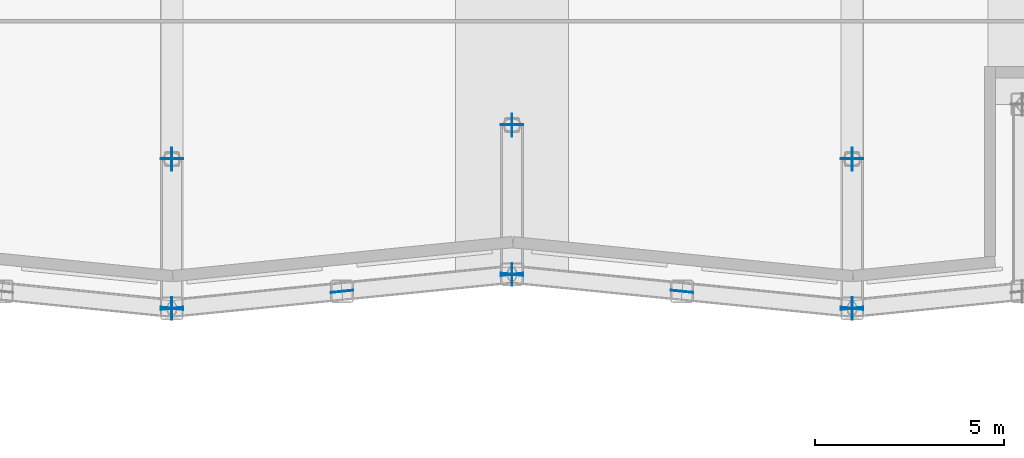
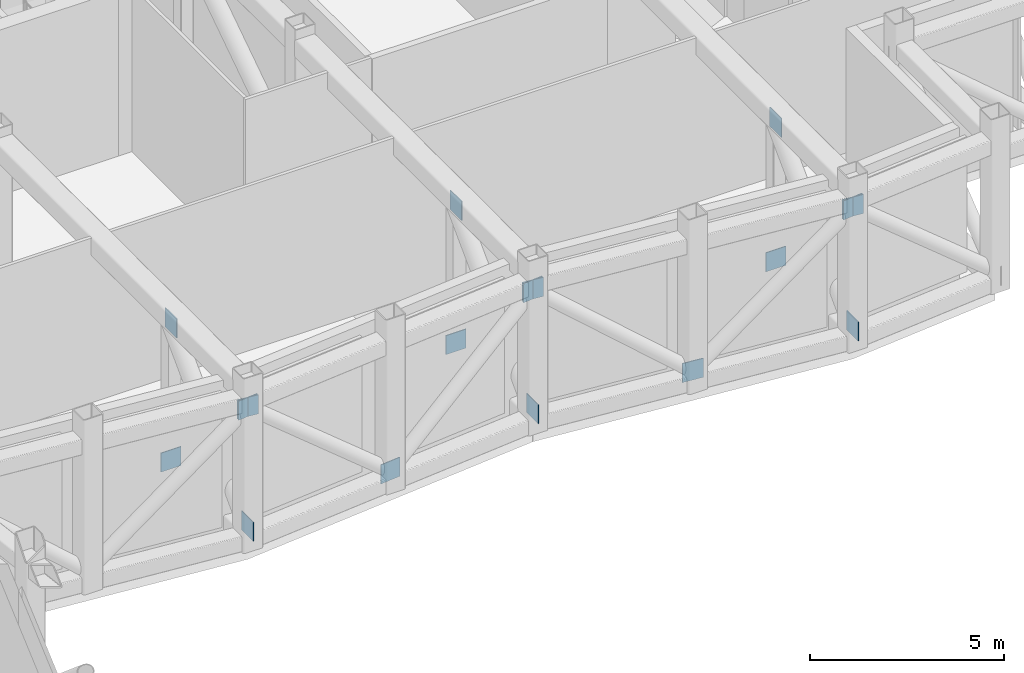
# One storey, part 15 of 22: 17 discrete accessories.
"""IFC4 building model written with IfcOpenShell, lengths in metres."""

from ifc_helpers import new_model, si_unit, direction, frame, origin, origin_2d, place, context, subcontext, project, spatial, rectangle, extrude, material, layer, layer_set, type_object, element, save


model = new_model("IFC4")

# Units and contexts
model_context = context("Model", 3, precision=1e-05, world=origin(), true_north=direction((0.0, 1.0)))
body_context = subcontext(model_context, "Body", "Model", "MODEL_VIEW")
ifc_project = project(units=[si_unit("LENGTHUNIT", "METRE"), si_unit("AREAUNIT", "SQUARE_METRE"), si_unit("VOLUMEUNIT", "CUBIC_METRE"), si_unit("PLANEANGLEUNIT", "RADIAN"), si_unit("MASSUNIT", "GRAM", prefix="KILO")], contexts=[model_context])

# Site, building, storey
site_placement = place(None, origin())
site = spatial("IfcSite", under=ifc_project, at=site_placement, CompositionType="ELEMENT")
building_placement = place(site_placement, origin())
building = spatial("IfcBuilding", under=site, at=building_placement, Name="Brondeck Convention Tower", CompositionType="ELEMENT")
storey_placement = place(building_placement, frame((0.0, 0.0, 32.0)))
storey = spatial("IfcBuildingStorey", under=building, at=storey_placement, Name="L05", CompositionType="ELEMENT", Elevation=32.0)

# Discrete accessories
ifc_material = material(Name="Steel S460", Category="steel")
ifc_layer_1 = layer(ifc_material, 0.02490234375)
ifc_layer_set_1 = layer_set([ifc_layer_1], Name="End plate 600x600x25 Steel S460")
discrete_accessory_type_1 = type_object("IfcDiscreteAccessoryType", Name="End plate 600x600x25 Steel S460", PredefinedType="BRACKET", material=ifc_layer_set_1)
for number, where, z_axis, x_axis, name in (
    (1, (45.0, 30.060546875, 0.0), (0.0, 0.0, 1.0), (-1.0, 0.0, 0.0), "End plate EP-9"),
    (2, (54.0, 30.96044921875, 0.0), (0.0, 0.0, 1.0), (-1.0, 0.0, 0.0), "End plate EP-10"),
    (3, (63.0, 30.060546875, 0.0), (0.0, 0.0, 1.0), (-1.0, 0.0, 0.0), "End plate EP-11"),
):
    element("IfcDiscreteAccessory", number, at=place(storey_placement, frame(where, z_axis=z_axis, x_axis=x_axis)), inside=storey, type_object=discrete_accessory_type_1, Name=name, PredefinedType="BRACKET", context=body_context, shape_type="SweptSolid", body=[
        extrude(rectangle(XDim=0.60009765625, YDim=0.02490234375, at=origin_2d()), origin(), (0.0, 0.0, 1.0), 0.60009765625),
    ])
ifc_layer_2 = layer(ifc_material, 0.02490234375)
ifc_layer_set_2 = layer_set([ifc_layer_2], Name="Gusset plate 600x600x25 Steel S460")
discrete_accessory_type_2 = type_object("IfcDiscreteAccessoryType", Name="Gusset plate 600x600x25 Steel S460", PredefinedType="BRACKET", material=ifc_layer_set_2)
for number, where, z_axis, x_axis, name in (
    (4, (45.0, 26.10009765625, 4.050048828125), (0.0, 0.0, 1.0), (-0.9950364836, 0.099510784867, 0.0), "Gusset plate GP-22"),
    (5, (45.0, 26.10009765625, 4.050048828125), (0.0, 0.0, 1.0), (0.9950364836, 0.099510784867, 0.0), "Gusset plate GP-23"),
    (6, (49.5, 26.550048828125, 0.199951171875), (0.0, 0.0, 1.0), (0.9950364836, 0.099510784867, 0.0), "Gusset plate GP-24"),
    (7, (54.0, 27.0, 4.050048828125), (0.0, 0.0, 1.0), (0.9950364836, 0.099510784867, 0.0), "Gusset plate GP-25"),
    (8, (54.0, 27.0, 4.050048828125), (0.0, 0.0, 1.0), (-0.9950364836, 0.099510784867, 0.0), "Gusset plate GP-26"),
    (9, (58.5, 26.550048828125, 0.199951171875), (0.0, 0.0, 1.0), (-0.9950364836, 0.099510784867, 0.0), "Gusset plate GP-27"),
    (10, (63.0, 26.10009765625, 4.050048828125), (0.0, 0.0, 1.0), (-0.9950364836, 0.099510784867, 0.0), "Gusset plate GP-28"),
    (11, (63.0, 26.10009765625, 4.050048828125), (0.0, 0.0, 1.0), (0.9950364836, 0.099510784867, 0.0), "Gusset plate GP-29"),
    (12, (45.0, 26.10009765625, 0.300048828125), (0.0, 0.0, 1.0), (0.0, 1.0, 0.0), "Gusset plate GP-90"),
    (13, (45.0, 30.050048828125, 4.300048828125), (0.0, 0.0, 1.0), (0.0, 1.0, 0.0), "Gusset plate GP-91"),
    (14, (54.0, 27.0, 0.300048828125), (0.0, 0.0, 1.0), (0.0, 1.0, 0.0), "Gusset plate GP-96"),
    (15, (54.0, 30.949951171875, 4.300048828125), (0.0, 0.0, 1.0), (0.0, 1.0, 0.0), "Gusset plate GP-97"),
    (16, (63.0, 26.10009765625, 0.300048828125), (0.0, 0.0, 1.0), (0.0, 1.0, 0.0), "Gusset plate GP-103"),
    (17, (63.0, 30.050048828125, 4.300048828125), (0.0, 0.0, 1.0), (0.0, 1.0, 0.0), "Gusset plate GP-104"),
):
    element("IfcDiscreteAccessory", number, at=place(storey_placement, frame(where, z_axis=z_axis, x_axis=x_axis)), inside=storey, type_object=discrete_accessory_type_2, Name=name, PredefinedType="BRACKET", context=body_context, shape_type="SweptSolid", body=[
        extrude(rectangle(XDim=0.60009765625, YDim=0.02490234375, at=origin_2d()), origin(), (0.0, 0.0, 1.0), 0.60009765625),
    ])

save(model, "model.ifc")
